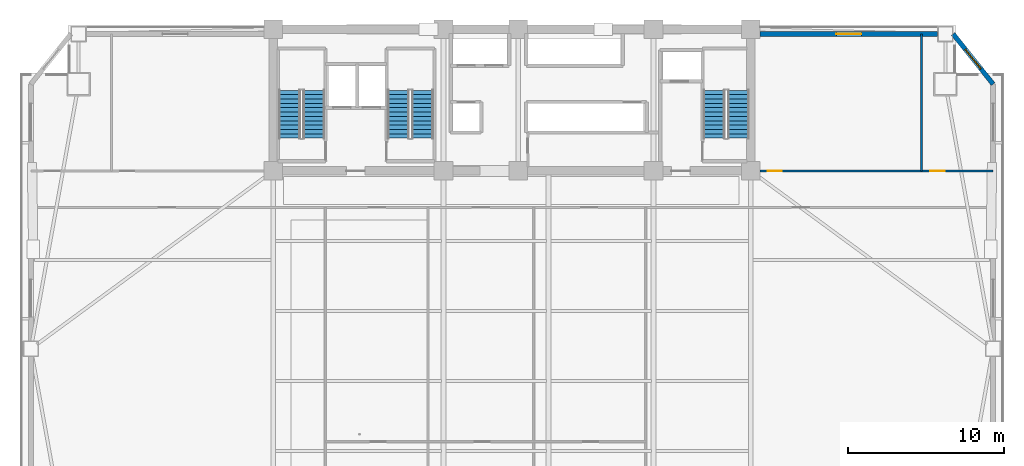
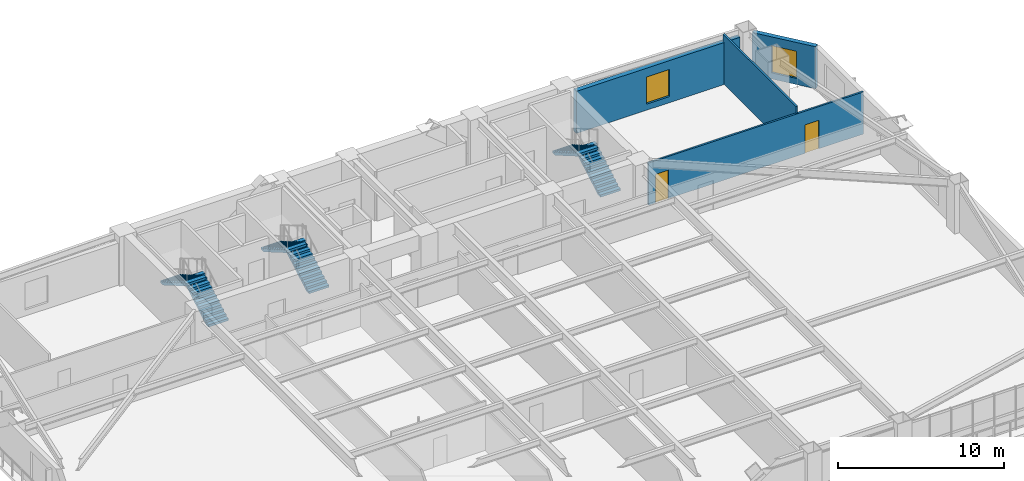
# One storey, part 10 of 16: 6 stair flights, 4 walls, 2 doors, 2 windows, 4 openings, 3 elements without a shape of their own.
"""IFC4 building model written with IfcOpenShell, lengths in metres."""

from ifc_helpers import new_model, si_unit, direction, frame, frame_2d, origin, place, context, subcontext, project, spatial, polyline, rectangle, outline, extrude, source, transform, mapped, material, layer, layer_set, type_object, element, fill, aggregate, save


model = new_model("IFC4")

# Units and contexts
model_context = context("Model", 3, precision=1e-05, world=origin(), true_north=direction((0.0, 1.0)))
body_context = subcontext(model_context, "Body", "Model", "MODEL_VIEW")
ifc_project = project(units=[si_unit("LENGTHUNIT", "METRE"), si_unit("AREAUNIT", "SQUARE_METRE"), si_unit("VOLUMEUNIT", "CUBIC_METRE"), si_unit("PLANEANGLEUNIT", "RADIAN"), si_unit("MASSUNIT", "GRAM", prefix="KILO")], contexts=[model_context])

# Site, building, storey
site_placement = place(None, origin())
site = spatial("IfcSite", under=ifc_project, at=site_placement, CompositionType="ELEMENT")
building_placement = place(site_placement, origin())
building = spatial("IfcBuilding", under=site, at=building_placement, Name="Giltprow Tower", CompositionType="ELEMENT")
storey_placement = place(building_placement, frame((0.0, 0.0, 91.300048828125)))
storey = spatial("IfcBuildingStorey", under=building, at=storey_placement, Name="L22", CompositionType="ELEMENT", Elevation=91.300048828125)

# Wall, opening, window
ifc_material_1 = material(Name="Precast concrete C40", Category="concrete")
ifc_layer_1 = layer(ifc_material_1, 0.300048828125, Name="Precast concrete C40")
ifc_layer_set_1 = layer_set([ifc_layer_1], Name="Precast concrete C40")
wall_type_1 = type_object("IfcWallType", Name="EW-NOTCH-CHAMFER-300", PredefinedType="SOLIDWALL", material=ifc_layer_set_1)
wall_1_placement = place(storey_placement, frame((66.1259765625, 43.030029296875, 0.0), z_axis=(0.0, 0.0, 1.0), x_axis=(-0.623820223262, 0.781567865926, 0.0)))
wall_1 = element("IfcWall", 1, at=wall_1_placement, inside=storey, type_object=wall_type_1, Name="L22 Corner Notch Wall NE", PredefinedType="SOLIDWALL", context=body_context, shape_type="SweptSolid", body=[
    extrude(rectangle(XDim=4.119873046875, YDim=0.300048828125, at=frame_2d((2.06005859375, 0.0))), origin(), (0.0, 0.0, 1.0), 3.099853515625),
])
opening_1_placement = place(wall_1_placement, frame((1.260009765625, 0.0, 0.449951171875)))
opening_1 = element("IfcOpeningElement", 2, at=opening_1_placement, cuts=wall_1, Name="Opening WN17", PredefinedType="OPENING", context=body_context, shape_type="SweptSolid", body=[
    extrude(rectangle(XDim=1.60009765625, YDim=2.0, at=frame_2d((0.800048828125, 1.0))), frame((0.0, 0.159912109375, 0.0), z_axis=(0.0, -1.0, 0.0), x_axis=(1.0, 0.0, 0.0)), (0.0, 0.0, 1.0), 0.320068359375),
])
ifc_material_2 = material(Name="Insulated glass", Category="glass")
window_type = type_object("IfcWindowType", Name="WN-COR-1600x2000", PartitioningType="SINGLE_PANEL", PredefinedType="WINDOW", material=ifc_material_2)
shared_shape_1 = source(origin(), body_context, "Body", "SweptSolid", [
    extrude(rectangle(XDim=1.60009765625, YDim=2.0, at=frame_2d((0.800048828125, 1.0))), frame((0.0, 0.030029296875, 0.0), z_axis=(0.0, -1.0, 0.0), x_axis=(1.0, 0.0, 0.0)), (0.0, 0.0, 1.0), 0.06005859375),
])
window_1_placement = place(opening_1_placement, origin())
window_1 = element("IfcWindow", 3, at=window_1_placement, inside=storey, type_object=window_type, Name="L22 Corner Notch Window NE", OverallHeight=2.0, OverallWidth=1.60009765625, PartitioningType="SINGLE_PANEL", PredefinedType="WINDOW", context=body_context, shape_type="MappedRepresentation", body=[
    mapped(shared_shape_1, transform((0.0, 0.0, 0.0), x_axis=(1.0, 0.0, 0.0), y_axis=(0.0, 1.0, 0.0), z_axis=(0.0, 0.0, 1.0), scale=1.0)),
])
fill(opening_1, window_1)

ifc_layer_2 = layer(ifc_material_1, 0.320068359375, Name="Precast concrete C40")
ifc_layer_set_2 = layer_set([ifc_layer_2], Name="Precast concrete C40")
wall_type_2 = type_object("IfcWallType", Name="EW-TOW-STONE-320", PredefinedType="SOLIDWALL", material=ifc_layer_set_2)
wall_2_placement = place(storey_placement, frame((51.14990234375, 46.25, 0.0), z_axis=(0.0, 0.0, 1.0), x_axis=(1.0, 0.0, 0.0)))
wall_2 = element("IfcWall", 4, at=wall_2_placement, inside=storey, type_object=wall_type_2, Name="L22 North-East Wing Wall", PredefinedType="SOLIDWALL", context=body_context, shape_type="SweptSolid", body=[
    extrude(rectangle(XDim=11.406005859375, YDim=0.320068359375, at=frame_2d((5.703125, 0.0))), origin(), (0.0, 0.0, 1.0), 3.099853515625),
])
opening_2_placement = place(wall_2_placement, frame((4.903076171875, 0.0, 0.449951171875)))
opening_2 = element("IfcOpeningElement", 5, at=opening_2_placement, cuts=wall_2, Name="Opening WN17", PredefinedType="OPENING", context=body_context, shape_type="SweptSolid", body=[
    extrude(rectangle(XDim=1.60009765625, YDim=2.0, at=frame_2d((0.800048828125, 1.0))), frame((0.0, 0.169921875, 0.0), z_axis=(0.0, -1.0, 0.0), x_axis=(1.0, 0.0, 0.0)), (0.0, 0.0, 1.0), 0.340087890625),
])
window_2_placement = place(opening_2_placement, origin())
window_2 = element("IfcWindow", 6, at=window_2_placement, inside=storey, type_object=window_type, Name="L22 North-East Window", OverallHeight=2.0, OverallWidth=1.60009765625, PartitioningType="SINGLE_PANEL", PredefinedType="WINDOW", context=body_context, shape_type="MappedRepresentation", body=[
    mapped(shared_shape_1, transform((0.0, 0.0, 0.0), x_axis=(1.0, 0.0, 0.0), y_axis=(0.0, 1.0, 0.0), z_axis=(0.0, 0.0, 1.0), scale=1.0)),
])
fill(opening_2, window_2)

# Wall, openings, doors
ifc_material_3 = material(Name="Concrete C30", Category="concrete")
ifc_layer_3 = layer(ifc_material_3, 0.1298828125, Name="Concrete C30")
ifc_layer_set_3 = layer_set([ifc_layer_3], Name="Concrete C30")
wall_type_3 = type_object("IfcWallType", Name="IW-WET-130", PredefinedType="PARTITIONING", material=ifc_layer_set_3)
wall_3_placement = place(storey_placement, frame((51.14990234375, 37.449951171875, 0.0), z_axis=(0.0, 0.0, 1.0), x_axis=(1.0, 0.0, 0.0)))
wall_3 = element("IfcWall", 7, at=wall_3_placement, inside=storey, type_object=wall_type_3, Name="L22 NE Wing South Wall", PredefinedType="PARTITIONING", context=body_context, shape_type="SweptSolid", body=[
    extrude(rectangle(XDim=14.97607421875, YDim=0.1298828125, at=frame_2d((7.488037109375, 0.0))), origin(), (0.0, 0.0, 1.0), 3.10498046875),
])
opening_3_placement = place(wall_3_placement, frame((0.5, 0.0, 0.0)))
opening_3 = element("IfcOpeningElement", 8, at=opening_3_placement, cuts=wall_3, Name="Opening ID15", PredefinedType="OPENING", context=body_context, shape_type="SweptSolid", body=[
    extrude(rectangle(XDim=0.89990234375, YDim=2.10009765625, at=frame_2d((0.449951171875, 1.050048828125))), frame((0.0, 0.074951171875, 0.0), z_axis=(0.0, -1.0, 0.0), x_axis=(1.0, 0.0, 0.0)), (0.0, 0.0, 1.0), 0.14990234375),
])
opening_4_placement = place(wall_3_placement, frame((10.923095703125, 0.0, 0.0)))
opening_4 = element("IfcOpeningElement", 9, at=opening_4_placement, cuts=wall_3, Name="Opening ID11", PredefinedType="OPENING", context=body_context, shape_type="SweptSolid", body=[
    extrude(rectangle(XDim=0.949951171875, YDim=2.10009765625, at=frame_2d((0.47509765625, 1.050048828125))), frame((0.0, 0.074951171875, 0.0), z_axis=(0.0, -1.0, 0.0), x_axis=(1.0, 0.0, 0.0)), (0.0, 0.0, 1.0), 0.14990234375),
])
ifc_material_4 = material(Name="Engineered timber", Category="wood")
door_type_1 = type_object("IfcDoorType", Name="DR-WC-900", OperationType="SINGLE_SWING_LEFT", PredefinedType="DOOR", material=ifc_material_4)
shared_shape_2 = source(origin(), body_context, "Body", "SweptSolid", [
    extrude(rectangle(XDim=0.89990234375, YDim=2.10009765625, at=frame_2d((0.449951171875, 1.050048828125))), frame((0.0, 0.02490234375, 0.0), z_axis=(0.0, -1.0, 0.0), x_axis=(1.0, 0.0, 0.0)), (0.0, 0.0, 1.0), 0.050048828125),
])
door_1_placement = place(opening_3_placement, origin())
door_1 = element("IfcDoor", 10, at=door_1_placement, inside=storey, type_object=door_type_1, Name="L22 East Wing Washroom Door", OperationType="SINGLE_SWING_RIGHT", OverallHeight=2.10009765625, OverallWidth=0.89990234375, PredefinedType="DOOR", context=body_context, shape_type="MappedRepresentation", body=[
    mapped(shared_shape_2, transform((0.0, 0.0, 0.0), x_axis=(1.0, 0.0, 0.0), y_axis=(0.0, 1.0, 0.0), z_axis=(0.0, 0.0, 1.0), scale=1.0)),
])
fill(opening_3, door_1)
door_type_2 = type_object("IfcDoorType", Name="DR-ROOM-950", OperationType="SINGLE_SWING_RIGHT", PredefinedType="DOOR", material=ifc_material_4)
shared_shape_3 = source(origin(), body_context, "Body", "SweptSolid", [
    extrude(rectangle(XDim=0.949951171875, YDim=2.10009765625, at=frame_2d((0.47509765625, 1.050048828125))), frame((0.0, 0.02490234375, 0.0), z_axis=(0.0, -1.0, 0.0), x_axis=(1.0, 0.0, 0.0)), (0.0, 0.0, 1.0), 0.050048828125),
])
door_2_placement = place(opening_4_placement, origin())
door_2 = element("IfcDoor", 11, at=door_2_placement, inside=storey, type_object=door_type_2, Name="L22 East Tenant Archive Store Door", OperationType="SINGLE_SWING_LEFT", OverallHeight=2.10009765625, OverallWidth=0.949951171875, PredefinedType="DOOR", context=body_context, shape_type="MappedRepresentation", body=[
    mapped(shared_shape_3, transform((0.0, 0.0, 0.0), x_axis=(1.0, 0.0, 0.0), y_axis=(0.0, 1.0, 0.0), z_axis=(0.0, 0.0, 1.0), scale=1.0)),
])
fill(opening_4, door_2)

# Wall
wall_4_placement = place(storey_placement, frame((61.52294921875, 37.449951171875, 0.0), z_axis=(0.0, 0.0, 1.0), x_axis=(0.0, 1.0, 0.0)))
element("IfcWall", 12, at=wall_4_placement, inside=storey, type_object=wall_type_3, Name="L22 NE Wing Divider", PredefinedType="PARTITIONING", context=body_context, shape_type="SweptSolid", body=[
    extrude(rectangle(XDim=8.800048828125, YDim=0.1298828125, at=frame_2d((4.39990234375, 0.0))), origin(), (0.0, 0.0, 1.0), 3.619873046875),
])

# Stair, stair flights
ifc_material_5 = material(Name="Concrete C40", Category="concrete")
stair_type_1 = type_object("IfcStairType", Name="STR-ST-1", PredefinedType="HALF_TURN_STAIR", material=ifc_material_5)
stair_1_placement = place(storey_placement, origin())
stair_1 = element("IfcStair", 13, at=stair_1_placement, inside=storey, type_object=stair_type_1, Name="L22 Core Exit Stair ST-1", PredefinedType="HALF_TURN_STAIR")
stair_flight_type_1 = type_object("IfcStairFlightType", Name="SFL-ST-1", PredefinedType="STRAIGHT", material=ifc_material_5)
stair_flight_1_placement = place(storey_placement, frame((22.4599609375, 39.550048828125, 0.0), z_axis=(0.0, 0.0, 1.0), x_axis=(0.0, 1.0, 0.0)))
stair_flight_1 = element("IfcStairFlight", 14, at=stair_flight_1_placement, type_object=stair_flight_type_1, Name="ST-1 flight 1", NumberOfRisers=12, NumberOfTreads=11, PredefinedType="STRAIGHT", RiserHeight=0.1625, TreadLength=0.28, context=body_context, shape_type="SweptSolid", body=[
    extrude(outline(polyline([(0.0, 0.0), (0.0, 0.16259765625), (0.280029296875, 0.16259765625), (0.280029296875, 0.324951171875), (0.56005859375, 0.324951171875), (0.56005859375, 0.487548828125), (0.840087890625, 0.487548828125), (0.840087890625, 0.64990234375), (1.1201171875, 0.64990234375), (1.1201171875, 0.8125), (1.39990234375, 0.8125), (1.39990234375, 0.97509765625), (1.679931640625, 0.97509765625), (1.679931640625, 1.137451171875), (1.9599609375, 1.137451171875), (1.9599609375, 1.300048828125), (2.239990234375, 1.300048828125), (2.239990234375, 1.46240234375), (2.52001953125, 1.46240234375), (2.52001953125, 1.625), (2.800048828125, 1.625), (2.800048828125, 1.78759765625), (3.080078125, 1.78759765625), (3.080078125, 1.949951171875), (3.080078125, 1.6142578125), (0.298583984375, 0.0), (0.0, 0.0)])), frame((0.0, 0.699951171875, 0.0), z_axis=(0.0, -1.0, 0.0), x_axis=(1.0, 0.0, 0.0)), (0.0, 0.0, 1.0), 1.39990234375),
])
stair_flight_2_placement = place(storey_placement, frame((20.89990234375, 42.6298828125, 1.949951171875), z_axis=(0.0, 0.0, 1.0), x_axis=(0.0, -1.0, 0.0)))
stair_flight_2 = element("IfcStairFlight", 15, at=stair_flight_2_placement, type_object=stair_flight_type_1, Name="ST-1 flight 2", NumberOfRisers=12, NumberOfTreads=11, PredefinedType="STRAIGHT", RiserHeight=0.1625, TreadLength=0.28, context=body_context, shape_type="SweptSolid", body=[
    extrude(outline(polyline([(0.0, 0.0), (0.0, 0.16259765625), (0.280029296875, 0.16259765625), (0.280029296875, 0.324951171875), (0.56005859375, 0.324951171875), (0.56005859375, 0.487548828125), (0.840087890625, 0.487548828125), (0.840087890625, 0.64990234375), (1.1201171875, 0.64990234375), (1.1201171875, 0.8125), (1.39990234375, 0.8125), (1.39990234375, 0.97509765625), (1.679931640625, 0.97509765625), (1.679931640625, 1.137451171875), (1.9599609375, 1.137451171875), (1.9599609375, 1.300048828125), (2.239990234375, 1.300048828125), (2.239990234375, 1.46240234375), (2.52001953125, 1.46240234375), (2.52001953125, 1.625), (2.800048828125, 1.625), (2.800048828125, 1.78759765625), (3.080078125, 1.78759765625), (3.080078125, 1.949951171875), (3.080078125, 1.6142578125), (0.298583984375, 0.0), (0.0, 0.0)])), frame((0.0, 0.699951171875, 0.0), z_axis=(0.0, -1.0, 0.0), x_axis=(1.0, 0.0, 0.0)), (0.0, 0.0, 1.0), 1.39990234375),
])
aggregate(stair_1, [stair_flight_1, stair_flight_2])

stair_type_2 = type_object("IfcStairType", Name="STR-ST-2", PredefinedType="HALF_TURN_STAIR", material=ifc_material_5)
stair_2_placement = place(storey_placement, origin())
stair_2 = element("IfcStair", 16, at=stair_2_placement, inside=storey, type_object=stair_type_2, Name="L22 Core Exit Stair ST-2", PredefinedType="HALF_TURN_STAIR")
stair_flight_type_2 = type_object("IfcStairFlightType", Name="SFL-ST-2", PredefinedType="STRAIGHT", material=ifc_material_5)
stair_flight_3_placement = place(storey_placement, frame((29.4599609375, 39.550048828125, 0.0), z_axis=(0.0, 0.0, 1.0), x_axis=(0.0, 1.0, 0.0)))
stair_flight_3 = element("IfcStairFlight", 17, at=stair_flight_3_placement, type_object=stair_flight_type_2, Name="ST-2 flight 1", NumberOfRisers=12, NumberOfTreads=11, PredefinedType="STRAIGHT", RiserHeight=0.1625, TreadLength=0.28, context=body_context, shape_type="SweptSolid", body=[
    extrude(outline(polyline([(0.0, 0.0), (0.0, 0.16259765625), (0.280029296875, 0.16259765625), (0.280029296875, 0.324951171875), (0.56005859375, 0.324951171875), (0.56005859375, 0.487548828125), (0.840087890625, 0.487548828125), (0.840087890625, 0.64990234375), (1.1201171875, 0.64990234375), (1.1201171875, 0.8125), (1.39990234375, 0.8125), (1.39990234375, 0.97509765625), (1.679931640625, 0.97509765625), (1.679931640625, 1.137451171875), (1.9599609375, 1.137451171875), (1.9599609375, 1.300048828125), (2.239990234375, 1.300048828125), (2.239990234375, 1.46240234375), (2.52001953125, 1.46240234375), (2.52001953125, 1.625), (2.800048828125, 1.625), (2.800048828125, 1.78759765625), (3.080078125, 1.78759765625), (3.080078125, 1.949951171875), (3.080078125, 1.6142578125), (0.298583984375, 0.0), (0.0, 0.0)])), frame((0.0, 0.699951171875, 0.0), z_axis=(0.0, -1.0, 0.0), x_axis=(1.0, 0.0, 0.0)), (0.0, 0.0, 1.0), 1.39990234375),
])
stair_flight_4_placement = place(storey_placement, frame((27.89990234375, 42.6298828125, 1.949951171875), z_axis=(0.0, 0.0, 1.0), x_axis=(0.0, -1.0, 0.0)))
stair_flight_4 = element("IfcStairFlight", 18, at=stair_flight_4_placement, type_object=stair_flight_type_2, Name="ST-2 flight 2", NumberOfRisers=12, NumberOfTreads=11, PredefinedType="STRAIGHT", RiserHeight=0.1625, TreadLength=0.28, context=body_context, shape_type="SweptSolid", body=[
    extrude(outline(polyline([(0.0, 0.0), (0.0, 0.16259765625), (0.280029296875, 0.16259765625), (0.280029296875, 0.324951171875), (0.56005859375, 0.324951171875), (0.56005859375, 0.487548828125), (0.840087890625, 0.487548828125), (0.840087890625, 0.64990234375), (1.1201171875, 0.64990234375), (1.1201171875, 0.8125), (1.39990234375, 0.8125), (1.39990234375, 0.97509765625), (1.679931640625, 0.97509765625), (1.679931640625, 1.137451171875), (1.9599609375, 1.137451171875), (1.9599609375, 1.300048828125), (2.239990234375, 1.300048828125), (2.239990234375, 1.46240234375), (2.52001953125, 1.46240234375), (2.52001953125, 1.625), (2.800048828125, 1.625), (2.800048828125, 1.78759765625), (3.080078125, 1.78759765625), (3.080078125, 1.949951171875), (3.080078125, 1.6142578125), (0.298583984375, 0.0), (0.0, 0.0)])), frame((0.0, 0.699951171875, 0.0), z_axis=(0.0, -1.0, 0.0), x_axis=(1.0, 0.0, 0.0)), (0.0, 0.0, 1.0), 1.39990234375),
])
aggregate(stair_2, [stair_flight_3, stair_flight_4])

stair_type_3 = type_object("IfcStairType", Name="STR-ST-3", PredefinedType="HALF_TURN_STAIR", material=ifc_material_5)
stair_3_placement = place(storey_placement, origin())
stair_3 = element("IfcStair", 19, at=stair_3_placement, inside=storey, type_object=stair_type_3, Name="L22 Core Exit Stair ST-3", PredefinedType="HALF_TURN_STAIR")
stair_flight_type_3 = type_object("IfcStairFlightType", Name="SFL-ST-3", PredefinedType="STRAIGHT", material=ifc_material_5)
stair_flight_5_placement = place(storey_placement, frame((49.760009765625, 39.550048828125, 0.0), z_axis=(0.0, 0.0, 1.0), x_axis=(0.0, 1.0, 0.0)))
stair_flight_5 = element("IfcStairFlight", 20, at=stair_flight_5_placement, type_object=stair_flight_type_3, Name="ST-3 flight 1", NumberOfRisers=12, NumberOfTreads=11, PredefinedType="STRAIGHT", RiserHeight=0.1625, TreadLength=0.28, context=body_context, shape_type="SweptSolid", body=[
    extrude(outline(polyline([(0.0, 0.0), (0.0, 0.16259765625), (0.280029296875, 0.16259765625), (0.280029296875, 0.324951171875), (0.56005859375, 0.324951171875), (0.56005859375, 0.487548828125), (0.840087890625, 0.487548828125), (0.840087890625, 0.64990234375), (1.1201171875, 0.64990234375), (1.1201171875, 0.8125), (1.39990234375, 0.8125), (1.39990234375, 0.97509765625), (1.679931640625, 0.97509765625), (1.679931640625, 1.137451171875), (1.9599609375, 1.137451171875), (1.9599609375, 1.300048828125), (2.239990234375, 1.300048828125), (2.239990234375, 1.46240234375), (2.52001953125, 1.46240234375), (2.52001953125, 1.625), (2.800048828125, 1.625), (2.800048828125, 1.78759765625), (3.080078125, 1.78759765625), (3.080078125, 1.949951171875), (3.080078125, 1.6142578125), (0.298583984375, 0.0), (0.0, 0.0)])), frame((0.0, 0.699951171875, 0.0), z_axis=(0.0, -1.0, 0.0), x_axis=(1.0, 0.0, 0.0)), (0.0, 0.0, 1.0), 1.39990234375),
])
stair_flight_6_placement = place(storey_placement, frame((48.199951171875, 42.6298828125, 1.949951171875), z_axis=(0.0, 0.0, 1.0), x_axis=(0.0, -1.0, 0.0)))
stair_flight_6 = element("IfcStairFlight", 21, at=stair_flight_6_placement, type_object=stair_flight_type_3, Name="ST-3 flight 2", NumberOfRisers=12, NumberOfTreads=11, PredefinedType="STRAIGHT", RiserHeight=0.1625, TreadLength=0.28, context=body_context, shape_type="SweptSolid", body=[
    extrude(outline(polyline([(0.0, 0.0), (0.0, 0.16259765625), (0.280029296875, 0.16259765625), (0.280029296875, 0.324951171875), (0.56005859375, 0.324951171875), (0.56005859375, 0.487548828125), (0.840087890625, 0.487548828125), (0.840087890625, 0.64990234375), (1.1201171875, 0.64990234375), (1.1201171875, 0.8125), (1.39990234375, 0.8125), (1.39990234375, 0.97509765625), (1.679931640625, 0.97509765625), (1.679931640625, 1.137451171875), (1.9599609375, 1.137451171875), (1.9599609375, 1.300048828125), (2.239990234375, 1.300048828125), (2.239990234375, 1.46240234375), (2.52001953125, 1.46240234375), (2.52001953125, 1.625), (2.800048828125, 1.625), (2.800048828125, 1.78759765625), (3.080078125, 1.78759765625), (3.080078125, 1.949951171875), (3.080078125, 1.6142578125), (0.298583984375, 0.0), (0.0, 0.0)])), frame((0.0, 0.699951171875, 0.0), z_axis=(0.0, -1.0, 0.0), x_axis=(1.0, 0.0, 0.0)), (0.0, 0.0, 1.0), 1.39990234375),
])
aggregate(stair_3, [stair_flight_5, stair_flight_6])

save(model, "model.ifc")
